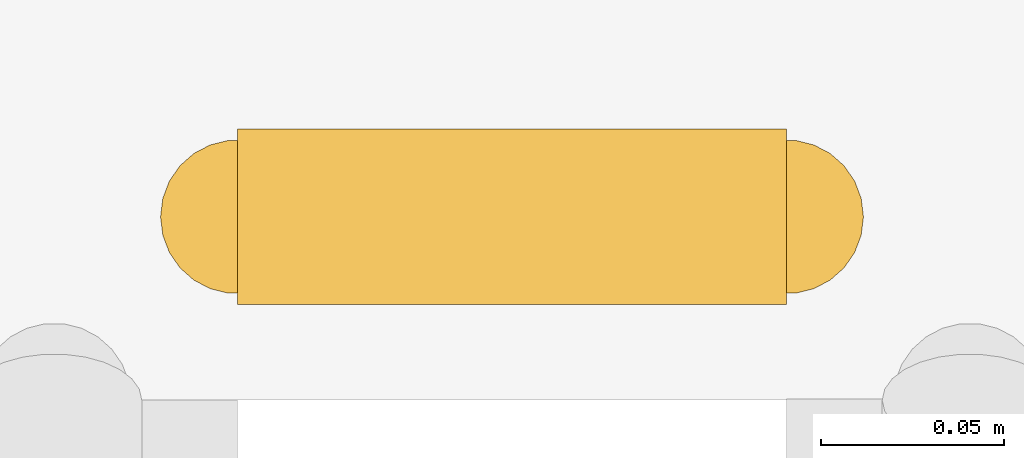
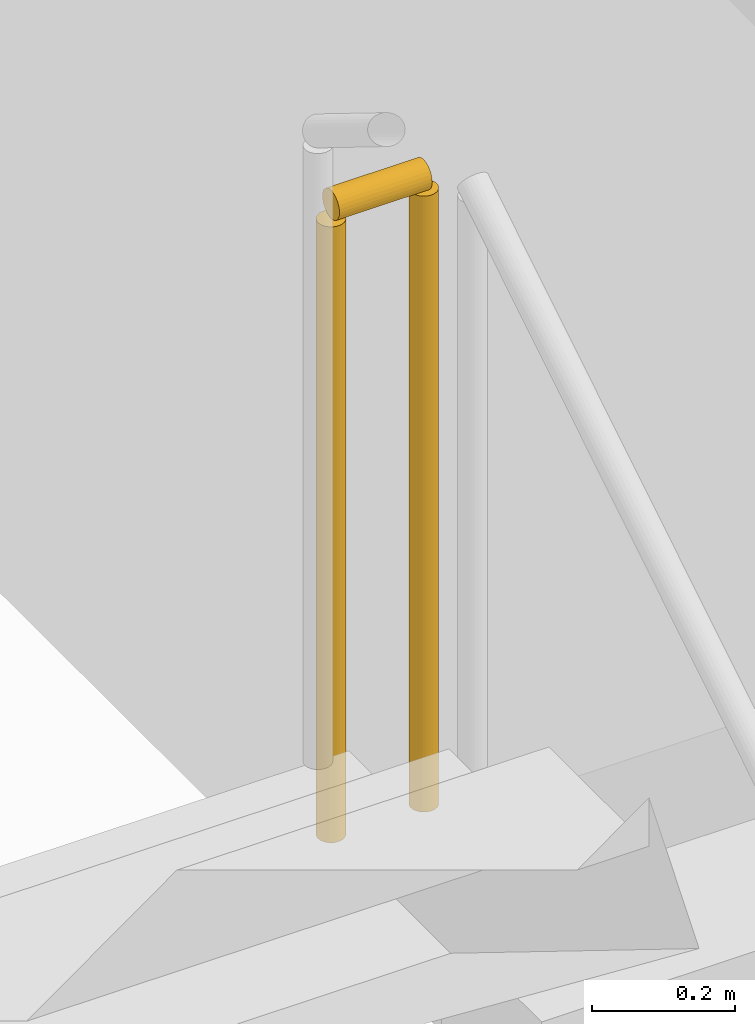
# One storey, part 138 of 149: 1 railing.
"""IFC4 building model written with IfcOpenShell, lengths in metres."""

from ifc_helpers import new_model, si_unit, direction, frame, origin, origin_2d, place, context, subcontext, project, spatial, circle, extrude, material, type_object, element, save


model = new_model("IFC4")

# Units and contexts
model_context = context("Model", 3, precision=1e-05, world=origin(), true_north=direction((0.0, 1.0)))
body_context = subcontext(model_context, "Body", "Model", "MODEL_VIEW")
ifc_project = project(units=[si_unit("LENGTHUNIT", "METRE"), si_unit("AREAUNIT", "SQUARE_METRE"), si_unit("VOLUMEUNIT", "CUBIC_METRE"), si_unit("PLANEANGLEUNIT", "RADIAN"), si_unit("MASSUNIT", "GRAM", prefix="KILO")], contexts=[model_context])

# Site, building, storey
site_placement = place(None, origin())
site = spatial("IfcSite", under=ifc_project, at=site_placement, CompositionType="ELEMENT")
building_placement = place(site_placement, origin())
building = spatial("IfcBuilding", under=site, at=building_placement, Name="Kallimachos Central Library", CompositionType="ELEMENT")
storey_placement = place(building_placement, frame((0.0, 0.0, 9.89990234375)))
storey = spatial("IfcBuildingStorey", under=building, at=storey_placement, Name="L02", CompositionType="ELEMENT", Elevation=9.89990234375)

# Railing
ifc_material = material(Name="Wrought iron")
railing_type = type_object("IfcRailingType", Name="Wrought-iron stair guard 1100", PredefinedType="GUARDRAIL", material=ifc_material)
railing_placement = place(storey_placement, frame((67.199951171875, 91.9599609375, 2.25)))
element("IfcRailing", 1, at=railing_placement, inside=storey, type_object=railing_type, Name="L02 ST1 stair guard 2", PredefinedType="GUARDRAIL", context=body_context, shape_type="SweptSolid", body=[
    extrude(circle(Radius=0.02392578125, at=origin_2d()), frame((0.0, 0.0, 1.076171875), z_axis=(-1.0, 0.0, 0.0), x_axis=(0.0, -1.0, 0.0)), (0.0, 0.0, 1.0), 0.14990234375),
    extrude(circle(Radius=0.02099609375, at=origin_2d()), origin(), (0.0, 0.0, 1.0), 1.052001953125),
    extrude(circle(Radius=0.02099609375, at=origin_2d()), frame((-0.14990234375, 0.0, 0.0)), (0.0, 0.0, 1.0), 1.052001953125),
])

save(model, "model.ifc")
